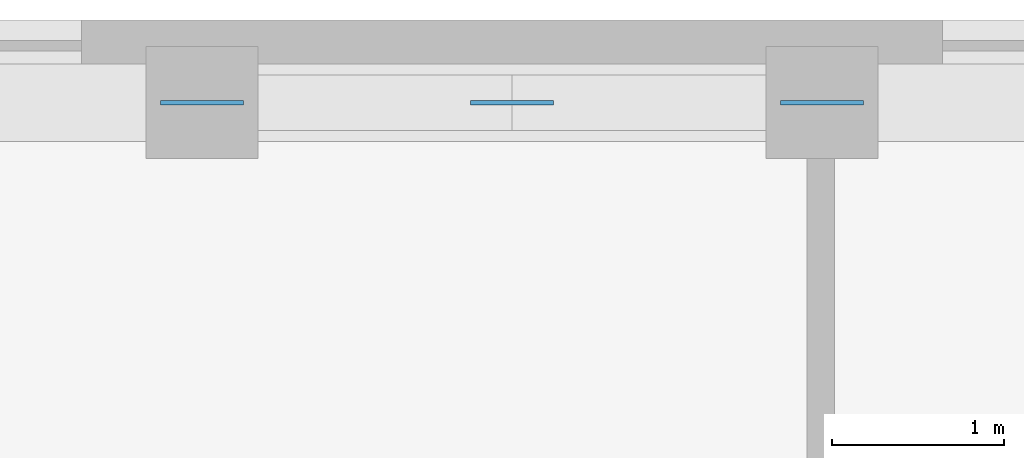
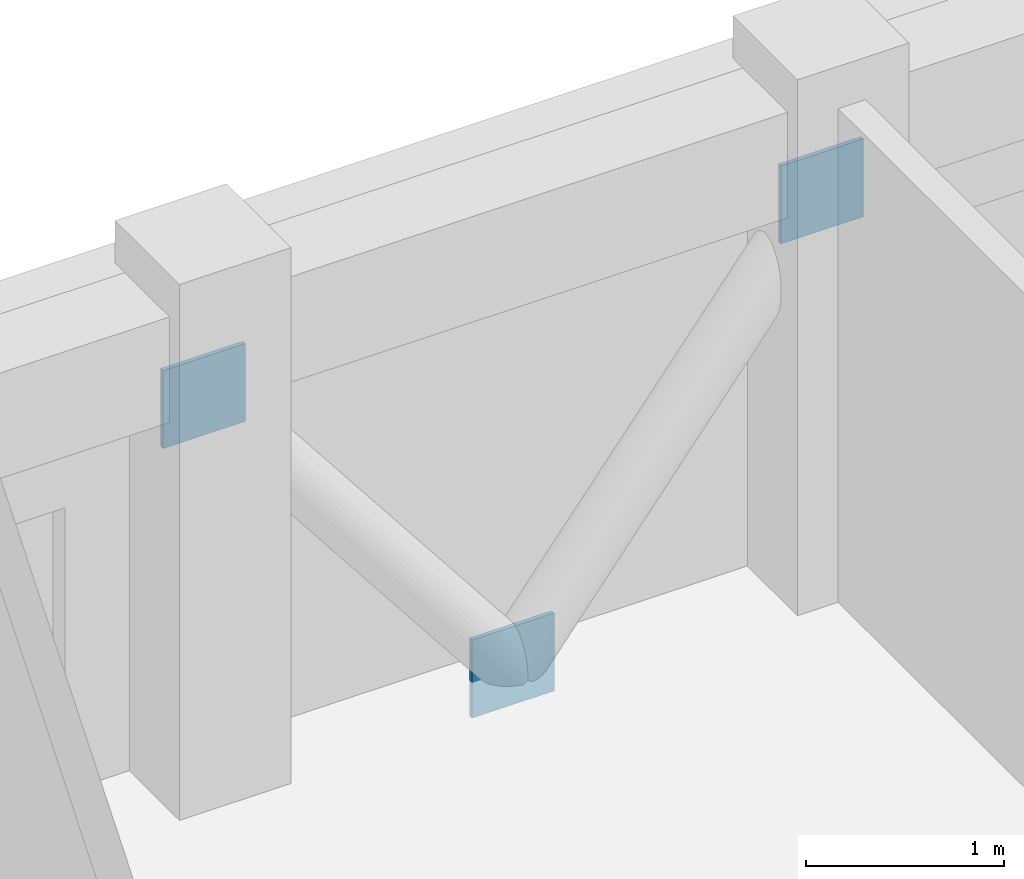
# One storey, part 9 of 11: 3 discrete accessories.
"""IFC4 building model written with IfcOpenShell, lengths in metres."""

from ifc_helpers import new_model, si_unit, derived_unit, direction, frame, origin, origin_2d, place, context, subcontext, project, spatial, rectangle, extrude, material, layer, layer_set, type_object, element, save


model = new_model("IFC4")

# Units and contexts
model_context = context("Model", 3, precision=1e-05, world=origin(), true_north=direction((0.0, 1.0)))
body_context = subcontext(model_context, "Body", "Model", "MODEL_VIEW")
ifc_project = project(units=[si_unit("LENGTHUNIT", "METRE"), si_unit("AREAUNIT", "SQUARE_METRE"), si_unit("VOLUMEUNIT", "CUBIC_METRE"), si_unit("PLANEANGLEUNIT", "RADIAN"), si_unit("MASSUNIT", "GRAM", prefix="KILO"), derived_unit("THERMALTRANSMITTANCEUNIT", [(si_unit("MASSUNIT", "GRAM", prefix="KILO"), 1), (si_unit("TIMEUNIT", "SECOND"), -3), (si_unit("THERMODYNAMICTEMPERATUREUNIT", "KELVIN"), -1)])], contexts=[model_context])

# Site, building, storey
site_placement = place(None, origin())
site = spatial("IfcSite", under=ifc_project, at=site_placement, CompositionType="ELEMENT")
building_placement = place(site_placement, origin())
building = spatial("IfcBuilding", under=site, at=building_placement, Name="Korrvale Station Residences", CompositionType="ELEMENT")
storey_placement = place(building_placement, frame((0.0, 0.0, 190.89990234375)))
storey = spatial("IfcBuildingStorey", under=building, at=storey_placement, Name="L55", CompositionType="ELEMENT", Elevation=190.89990234375)

# Discrete accessories
ifc_material = material(Name="Steel S355", Category="steel")
ifc_layer = layer(ifc_material, 0.02490234375, Name="Steel S355")
ifc_layer_set = layer_set([ifc_layer], Name="Steel S355")
discrete_accessory_type = type_object("IfcDiscreteAccessoryType", Name="ACC-GUSSET-25", PredefinedType="BRACKET", material=ifc_layer_set)
for number, where, z_axis, x_axis, name in (
    (1, (25.0, 39.719970703125, -0.219970703125), (0.0, 0.0, 1.0), (1.0, 0.0, 0.0), "L55 N Brace End Gusset Connection M"),
    (2, (23.199951171875, 39.719970703125, 2.070068359375), (0.0, 0.0, 1.0), (1.0, 0.0, 0.0), "L55 N Brace End Gusset Connection A"),
    (3, (26.800048828125, 39.719970703125, 2.070068359375), (0.0, 0.0, 1.0), (1.0, 0.0, 0.0), "L55 N Brace End Gusset Connection B"),
):
    element("IfcDiscreteAccessory", number, at=place(storey_placement, frame(where, z_axis=z_axis, x_axis=x_axis)), inside=storey, type_object=discrete_accessory_type, Name=name, PredefinedType="BRACKET", context=body_context, shape_type="SweptSolid", body=[
        extrude(rectangle(XDim=0.47998046875, YDim=0.02490234375, at=origin_2d()), origin(), (0.0, 0.0, 1.0), 0.47998046875),
    ])

save(model, "model.ifc")
